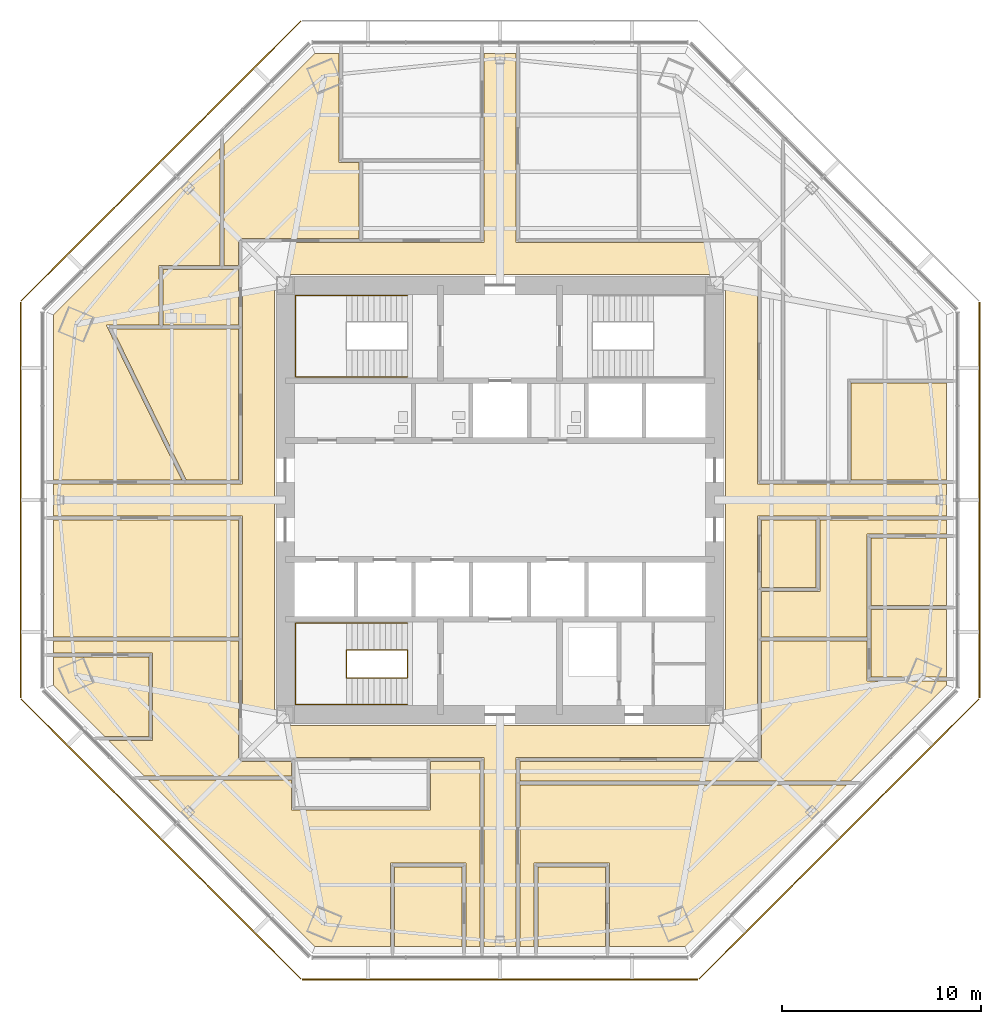
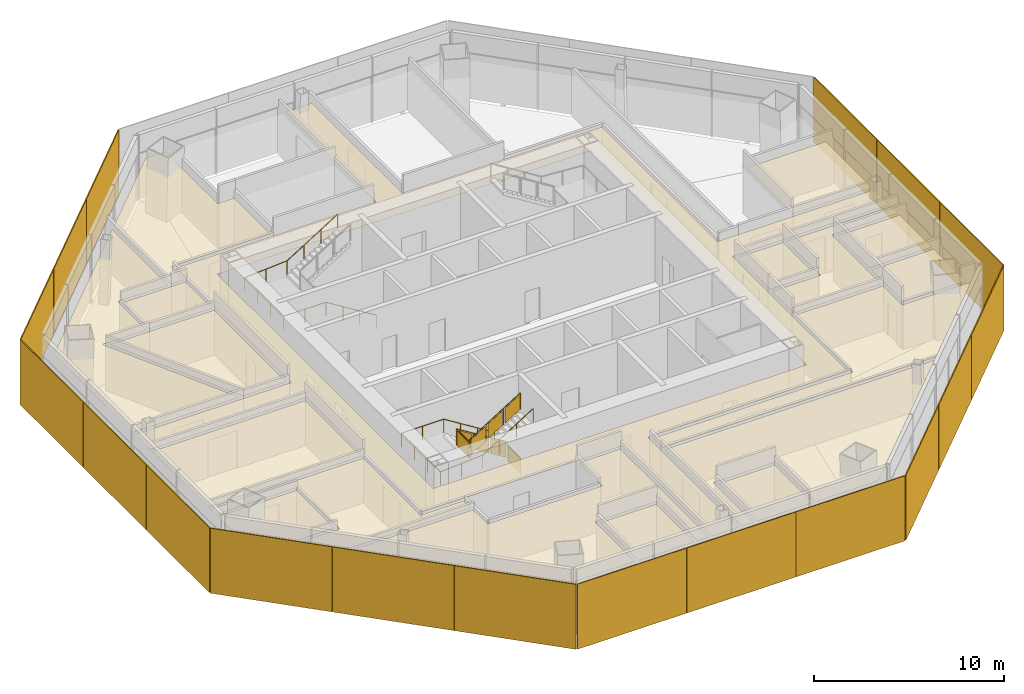
# One storey, part 13 of 15: 18 coverings, 18 shading devices, 3 railings.
"""IFC4 building model written with IfcOpenShell, lengths in metres."""

import ifcopenshell
import ifcopenshell.guid

model = None  # the IFC model being written
_history = None  # IfcOwnerHistory: only IFC2X3 demands one
_inside = {}  # id of a spatial element -> (the spatial element, [elements in it])
_under = {}  # id of a project, library or spatial element -> (it, [spatial elements below it])
_declared = {}  # id of a project -> (the project, [libraries it declares])
_typed = {}  # id of a type object -> (the type object, [elements of that type])
_made_of = {}  # id of a material, layer set ... -> (it, [elements and type objects made of it])


def new_model(schema):
    """Start an empty IFC model of exactly this schema.

    Asked for "IFC4X3", IfcOpenShell would pick the latest addendum, in which some entities
    have other attributes; the version numbers below select the first issue.
    IFC2X3 requires an IfcOwnerHistory on every rooted entity: one is made here for all.
    """
    global model, _history
    if schema == "IFC4X3":
        model = ifcopenshell.file(schema_version=(4, 3, 0, 0))
    else:
        model = ifcopenshell.file(schema=schema)
    _inside.clear()
    _under.clear()
    _declared.clear()
    _typed.clear()
    _made_of.clear()
    _history = None
    if model.schema == "IFC2X3":
        org = make("IfcOrganization", Name="unknown")
        user = make(
            "IfcPersonAndOrganization",
            ThePerson=make("IfcPerson", FamilyName="unknown"),
            TheOrganization=org,
        )
        app = make(
            "IfcApplication",
            ApplicationDeveloper=org,
            Version="unknown",
            ApplicationFullName="unknown",
            ApplicationIdentifier="unknown",
        )
        _history = make(
            "IfcOwnerHistory",
            OwningUser=user,
            OwningApplication=app,
            ChangeAction="ADDED",
            CreationDate=0,
        )
    return model


def make(cls, **values):
    """One entity of the class cls with the attributes given. An attribute that is None is left unset."""
    return model.create_entity(
        cls, **{name: value for name, value in values.items() if value is not None}
    )


def rooted(cls, **values):
    """An entity with a GlobalId (a new one), such as an element, a storey or a relation."""
    return make(cls, GlobalId=ifcopenshell.guid.new(), OwnerHistory=_history, **values)


def si_unit(unit_type, name, prefix=None):
    """IfcSIUnit, for example si_unit("LENGTHUNIT", "METRE", prefix="MILLI")."""
    return make("IfcSIUnit", UnitType=unit_type, Prefix=prefix, Name=name)


def assignment(units):
    """IfcUnitAssignment: the units of a project."""
    return None if units is None else make("IfcUnitAssignment", Units=units)


def point(xyz):
    """IfcCartesianPoint."""
    return None if xyz is None else make("IfcCartesianPoint", Coordinates=xyz)


def direction(xyz):
    """IfcDirection."""
    return None if xyz is None else make("IfcDirection", DirectionRatios=xyz)


def frame(location, z_axis=None, x_axis=None):
    """IfcAxis2Placement3D, a coordinate frame: its origin and axes. An axis left out is left unset."""
    return make(
        "IfcAxis2Placement3D",
        Location=point(location),
        Axis=direction(z_axis),
        RefDirection=direction(x_axis),
    )


def frame_2d(location, x_axis=None):
    """IfcAxis2Placement2D, a coordinate frame in the plane: its origin and x axis."""
    return make(
        "IfcAxis2Placement2D", Location=point(location), RefDirection=direction(x_axis)
    )


def origin():
    """The frame at (0, 0, 0) with its axes left unset."""
    return frame((0.0, 0.0, 0.0))


def origin_2d():
    """The frame at (0, 0) in the plane with its x axis left unset."""
    return frame_2d((0.0, 0.0))


def place(relative_to, where):
    """IfcLocalPlacement: puts the frame where relative to a parent placement (None: the world)."""
    return make(
        "IfcLocalPlacement", PlacementRelTo=relative_to, RelativePlacement=where
    )


def context(
    kind, dimensions, precision=None, world=None, true_north=None, identifier=None
):
    """IfcGeometricRepresentationContext, for example the 3D "Model" context."""
    return make(
        "IfcGeometricRepresentationContext",
        ContextIdentifier=identifier,
        ContextType=kind,
        CoordinateSpaceDimension=dimensions,
        Precision=precision,
        WorldCoordinateSystem=world,
        TrueNorth=true_north,
    )


def subcontext(parent, identifier, kind, view, scale=None):
    """IfcGeometricRepresentationSubContext, for example "Body" below "Model"."""
    return make(
        "IfcGeometricRepresentationSubContext",
        ContextIdentifier=identifier,
        ContextType=kind,
        ParentContext=parent,
        TargetScale=scale,
        TargetView=view,
    )


def project(units=None, contexts=None):
    """IfcProject with its units and contexts."""
    return rooted(
        "IfcProject",
        Name="project",
        RepresentationContexts=contexts,
        UnitsInContext=assignment(units),
    )


def spatial(cls, under=None, at=None, **own):
    """A site, building, storey or space (cls), placed at a placement, below another one or the project."""
    s = rooted(cls, ObjectPlacement=at, **own)
    if under is not None:
        _under.setdefault(under.id(), (under, []))[1].append(s)
    return s


def polyline(points):
    """IfcPolyline through the points."""
    return make("IfcPolyline", Points=[point(p) for p in points])


def profile(cls, at=None, kind="AREA", **sizes):
    """A parametric profile (cls). Its sizes go by their IFC names, for example OverallWidth=200.0."""
    return make(cls, ProfileType=kind, Position=at, **sizes)


def rectangle(**sizes):
    """IfcRectangleProfileDef."""
    return profile("IfcRectangleProfileDef", **sizes)


def circle(**sizes):
    """IfcCircleProfileDef."""
    return profile("IfcCircleProfileDef", **sizes)


def outline(outer, holes=None, kind="AREA"):
    """IfcArbitraryClosedProfileDef: a profile drawn as a closed curve; with holes, ...WithVoids."""
    if holes is None:
        return make("IfcArbitraryClosedProfileDef", ProfileType=kind, OuterCurve=outer)
    return make(
        "IfcArbitraryProfileDefWithVoids",
        ProfileType=kind,
        OuterCurve=outer,
        InnerCurves=holes,
    )


def extrude(swept, where, along, depth):
    """IfcExtrudedAreaSolid: the profile swept, set in the frame where, extruded along a direction by depth."""
    return make(
        "IfcExtrudedAreaSolid",
        SweptArea=swept,
        Position=where,
        ExtrudedDirection=direction(along),
        Depth=depth,
    )


def shape(context_of_items, identifier, shape_type, items):
    """IfcShapeRepresentation: the items that make up one representation, for example the "Body"."""
    return make(
        "IfcShapeRepresentation",
        ContextOfItems=context_of_items,
        RepresentationIdentifier=identifier,
        RepresentationType=shape_type,
        Items=items,
    )


def source(mapping_origin, context_of_items, identifier, shape_type, items):
    """IfcRepresentationMap: a shape defined once, which mapped items show again and again."""
    return make(
        "IfcRepresentationMap",
        MappingOrigin=mapping_origin,
        MappedRepresentation=shape(context_of_items, identifier, shape_type, items),
    )


def transform(
    local_origin,
    x_axis=None,
    y_axis=None,
    z_axis=None,
    scale=None,
    scale2=None,
    scale3=None,
    uniform=True,
):
    """IfcCartesianTransformationOperator3D, or its non-uniform kind. x_axis, y_axis, z_axis: its Axis1, 2, 3."""
    if uniform:
        return make(
            "IfcCartesianTransformationOperator3D",
            Axis1=direction(x_axis),
            Axis2=direction(y_axis),
            LocalOrigin=point(local_origin),
            Scale=scale,
            Axis3=direction(z_axis),
        )
    return make(
        "IfcCartesianTransformationOperator3DnonUniform",
        Axis1=direction(x_axis),
        Axis2=direction(y_axis),
        LocalOrigin=point(local_origin),
        Scale=scale,
        Axis3=direction(z_axis),
        Scale2=scale2,
        Scale3=scale3,
    )


def mapped(mapping_source, mapping_target):
    """IfcMappedItem: shows the shape of a source again, moved by a transform."""
    return make(
        "IfcMappedItem", MappingSource=mapping_source, MappingTarget=mapping_target
    )


def material(Name=None, Category=None):
    """IfcMaterial."""
    return make("IfcMaterial", Name=Name, Category=Category)


def layer(
    of_material, thickness, ventilated=None, Name=None, Category=None, Priority=None
):
    """IfcMaterialLayer: one layer of a wall or slab, of a material (None: an air gap)."""
    return make(
        "IfcMaterialLayer",
        Material=of_material,
        LayerThickness=thickness,
        IsVentilated=ventilated,
        Name=Name,
        Category=Category,
        Priority=Priority,
    )


def layer_set(layers, Name=None):
    """IfcMaterialLayerSet."""
    return make("IfcMaterialLayerSet", MaterialLayers=layers, LayerSetName=Name)


def made_of(thing, what):
    """Note that an element or type object is made of a material, layer set ...; save() writes the relation."""
    if what is not None:
        _made_of.setdefault(what.id(), (what, []))[1].append(thing)
    return thing


def type_object(cls, material=None, **own):
    """A type object (cls), such as IfcWallType, which elements share."""
    return made_of(rooted(cls, **own), material)


def type_shapes(of_type, sources):
    """Give a type object the sources (RepresentationMaps) that its elements show as mapped items."""
    of_type.RepresentationMaps = sources


def element(
    cls,
    number,
    at=None,
    inside=None,
    cuts=None,
    type_object=None,
    material=None,
    context=None,
    identifier="Body",
    shape_type=None,
    held_by="IfcProductDefinitionShape",
    body=None,
    shapes=None,
    **own,
):
    """One element of the class cls, such as IfcWall. Its Tag is "e" and its number.

    at: its placement. inside: the storey or other place that contains it. cuts: it is an
    opening in that element (IfcRelVoidsElement). A single representation is given by context,
    identifier, shape_type and body (its items); several are given by shapes. held_by: the class
    of the entity that holds the representations. save() writes the other relations.
    """
    e = rooted(cls, Tag="e%d" % number, ObjectPlacement=at, **own)
    if body is not None:
        shapes = [shape(context, identifier, shape_type, body)]
    if shapes is not None:
        e.Representation = make(held_by, Representations=shapes)
    if inside is not None:
        _inside.setdefault(inside.id(), (inside, []))[1].append(e)
    if cuts is not None:
        rooted(
            "IfcRelVoidsElement", RelatingBuildingElement=cuts, RelatedOpeningElement=e
        )
    if type_object is not None:
        _typed.setdefault(type_object.id(), (type_object, []))[1].append(e)
    return made_of(e, material)


def aggregate(whole, parts):
    """IfcRelAggregates: a whole, such as a stair, and the parts it consists of."""
    return rooted("IfcRelAggregates", RelatingObject=whole, RelatedObjects=parts)


def save(model, path):
    """Write the relations noted so far, then the file.

    IfcRelAggregates (storeys below a building ...), IfcRelContainedInSpatialStructure (elements
    in a storey), IfcRelDefinesByType, IfcRelAssociatesMaterial and IfcRelDeclares: one each for
    every whole, place, type object, material and project.
    """
    for whole, parts in _under.values():
        aggregate(whole, parts)
    for where, things in _inside.values():
        rooted(
            "IfcRelContainedInSpatialStructure",
            RelatedElements=things,
            RelatingStructure=where,
        )
    for kind, things in _typed.values():
        rooted("IfcRelDefinesByType", RelatedObjects=things, RelatingType=kind)
    for what, things in _made_of.values():
        rooted("IfcRelAssociatesMaterial", RelatedObjects=things, RelatingMaterial=what)
    for by, libraries in _declared.values():
        rooted("IfcRelDeclares", RelatingContext=by, RelatedDefinitions=libraries)
    model.write(path)


model = new_model("IFC4")

# Units and contexts
model_context = context("Model", 3, precision=1e-05, world=origin(), true_north=direction((0.0, 1.0)))
body_context = subcontext(model_context, "Body", "Model", "MODEL_VIEW")
ifc_project = project(units=[si_unit("LENGTHUNIT", "METRE"), si_unit("AREAUNIT", "SQUARE_METRE"), si_unit("VOLUMEUNIT", "CUBIC_METRE"), si_unit("PLANEANGLEUNIT", "RADIAN"), si_unit("MASSUNIT", "GRAM", prefix="KILO")], contexts=[model_context])

# Site, building, storey
site_placement = place(None, origin())
site = spatial("IfcSite", under=ifc_project, at=site_placement, CompositionType="ELEMENT")
building_placement = place(site_placement, origin())
building = spatial("IfcBuilding", under=site, at=building_placement, Name="Mashrafa Tower", CompositionType="ELEMENT")
storey_placement = place(building_placement, frame((0.0, 0.0, 176.39990234375)))
storey = spatial("IfcBuildingStorey", under=building, at=storey_placement, Name="L40", CompositionType="ELEMENT", Elevation=176.39990234375)

# Railings
ifc_material_1 = material(Name="Steel guard with glass infill", Category="steel")
railing_type_1 = type_object("IfcRailingType", Name="Stair guard 1100", PredefinedType="GUARDRAIL", material=ifc_material_1)
railing_1_placement = place(storey_placement, frame((-4.64990234375, -8.949951171875, 0.0)))
element("IfcRailing", 1, at=railing_1_placement, inside=storey, type_object=railing_type_1, Name="Stair S3 guard L40", PredefinedType="GUARDRAIL", context=body_context, shape_type="SweptSolid", body=[
    extrude(circle(Radius=0.02392578125, at=origin_2d()), frame((0.0, 0.0, 1.076171875), z_axis=(0.0, 1.0, 0.0), x_axis=(-1.0, 0.0, 0.0)), (0.0, 0.0, 1.0), 1.39990234375),
    extrude(circle(Radius=0.02392578125, at=origin_2d()), frame((0.0, 1.39990234375, 1.076171875), z_axis=(0.0, 0.0, 1.0), x_axis=(1.0, 0.0, 0.0)), (0.0, 0.0, 1.0), 0.175048828125),
    extrude(circle(Radius=0.02392578125, at=origin_2d()), frame((0.0, 1.39990234375, 1.2509765625), z_axis=(-0.847998304005, 0.0, 0.529998940003), x_axis=(0.0, -1.0, 0.0)), (0.0, 0.0, 1.0), 3.632080078125),
    extrude(circle(Radius=0.02392578125, at=origin_2d()), frame((-3.080078125, 1.39990234375, 3.17626953125), z_axis=(0.0, -1.0, 0.0), x_axis=(1.0, 0.0, 0.0)), (0.0, 0.0, 1.0), 1.39990234375),
    extrude(circle(Radius=0.02392578125, at=origin_2d()), frame((-3.080078125, 0.0, 3.17626953125), z_axis=(0.0, 0.0, 1.0), x_axis=(1.0, 0.0, 0.0)), (0.0, 0.0, 1.0), 0.175048828125),
    extrude(circle(Radius=0.02392578125, at=origin_2d()), frame((-3.080078125, 0.0, 3.35107421875), z_axis=(0.847998304005, 0.0, 0.529998940003), x_axis=(0.0, 1.0, 0.0)), (0.0, 0.0, 1.0), 3.632080078125),
    extrude(circle(Radius=0.02099609375, at=origin_2d()), origin(), (0.0, 0.0, 1.0), 1.052001953125),
    extrude(circle(Radius=0.02099609375, at=origin_2d()), frame((0.0, 1.39990234375, 0.0)), (0.0, 0.0, 1.0), 1.052001953125),
    extrude(circle(Radius=0.02099609375, at=origin_2d()), frame((0.0, 1.39990234375, 0.175048828125)), (0.0, 0.0, 1.0), 1.052001953125),
    extrude(circle(Radius=0.02099609375, at=origin_2d()), frame((-1.026611328125, 1.39990234375, 0.816650390625)), (0.0, 0.0, 1.0), 1.052001953125),
    extrude(circle(Radius=0.02099609375, at=origin_2d()), frame((-2.053466796875, 1.39990234375, 1.45849609375)), (0.0, 0.0, 1.0), 1.052001953125),
    extrude(circle(Radius=0.02099609375, at=origin_2d()), frame((-3.080078125, 1.39990234375, 2.10009765625)), (0.0, 0.0, 1.0), 1.052001953125),
    extrude(circle(Radius=0.02099609375, at=origin_2d()), frame((-3.080078125, 0.0, 2.10009765625)), (0.0, 0.0, 1.0), 1.052001953125),
    extrude(circle(Radius=0.02099609375, at=origin_2d()), frame((-3.080078125, 0.0, 2.275146484375)), (0.0, 0.0, 1.0), 1.052001953125),
    extrude(circle(Radius=0.02099609375, at=origin_2d()), frame((-2.053466796875, 0.0, 2.916748046875)), (0.0, 0.0, 1.0), 1.052001953125),
    extrude(circle(Radius=0.02099609375, at=origin_2d()), frame((-1.026611328125, 0.0, 3.55859375)), (0.0, 0.0, 1.0), 1.052001953125),
    extrude(circle(Radius=0.02099609375, at=origin_2d()), frame((0.0, 0.0, 4.2001953125)), (0.0, 0.0, 1.0), 1.052001953125),
    extrude(outline(polyline([(0.071044921875, 0.050048828125), (1.328857421875, 0.050048828125), (1.328857421875, 1.001953125), (0.071044921875, 1.001953125), (0.071044921875, 0.050048828125)])), frame((0.006103515625, 0.0, 0.0), z_axis=(1.0, 0.0, 0.0), x_axis=(0.0, 1.0, 0.0)), (0.0, 0.0, 1.0), 0.011962890625),
    extrude(outline(polyline([(0.071044921875, 0.094482421875), (0.955810546875, 0.647216796875), (0.955810546875, 1.599365234375), (0.071044921875, 1.04638671875), (0.071044921875, 0.094482421875)])), frame((0.0, 1.406005859375, 0.175048828125), z_axis=(0.0, 1.0, 0.0), x_axis=(-1.0, 0.0, 0.0)), (0.0, 0.0, 1.0), 0.011962890625),
    extrude(outline(polyline([(1.09765625, 0.736083984375), (1.982421875, 1.2890625), (1.982421875, 2.240966796875), (1.09765625, 1.68798828125), (1.09765625, 0.736083984375)])), frame((0.0, 1.406005859375, 0.175048828125), z_axis=(0.0, 1.0, 0.0), x_axis=(-1.0, 0.0, 0.0)), (0.0, 0.0, 1.0), 0.011962890625),
    extrude(outline(polyline([(2.124267578125, 1.377685546875), (3.009033203125, 1.9306640625), (3.009033203125, 2.882568359375), (2.124267578125, 2.329833984375), (2.124267578125, 1.377685546875)])), frame((0.0, 1.406005859375, 0.175048828125), z_axis=(0.0, 1.0, 0.0), x_axis=(-1.0, 0.0, 0.0)), (0.0, 0.0, 1.0), 0.011962890625),
    extrude(outline(polyline([(0.071044921875, 0.050048828125), (1.328857421875, 0.050048828125), (1.328857421875, 1.001953125), (0.071044921875, 1.001953125), (0.071044921875, 0.050048828125)])), frame((-3.086181640625, 1.39990234375, 2.10009765625), z_axis=(-1.0, 0.0, 0.0), x_axis=(0.0, -1.0, 0.0)), (0.0, 0.0, 1.0), 0.011962890625),
    extrude(outline(polyline([(0.071044921875, 0.094482421875), (0.955810546875, 0.647216796875), (0.955810546875, 1.599365234375), (0.071044921875, 1.04638671875), (0.071044921875, 0.094482421875)])), frame((-3.080078125, -0.006103515625, 2.275146484375), z_axis=(0.0, -1.0, 0.0), x_axis=(1.0, 0.0, 0.0)), (0.0, 0.0, 1.0), 0.011962890625),
    extrude(outline(polyline([(1.09765625, 0.736083984375), (1.982421875, 1.2890625), (1.982421875, 2.240966796875), (1.09765625, 1.68798828125), (1.09765625, 0.736083984375)])), frame((-3.080078125, -0.006103515625, 2.275146484375), z_axis=(0.0, -1.0, 0.0), x_axis=(1.0, 0.0, 0.0)), (0.0, 0.0, 1.0), 0.011962890625),
    extrude(outline(polyline([(2.124267578125, 1.377685546875), (3.009033203125, 1.9306640625), (3.009033203125, 2.882568359375), (2.124267578125, 2.329833984375), (2.124267578125, 1.377685546875)])), frame((-3.080078125, -0.006103515625, 2.275146484375), z_axis=(0.0, -1.0, 0.0), x_axis=(1.0, 0.0, 0.0)), (0.0, 0.0, 1.0), 0.011962890625),
])
ifc_material_2 = material(Name="Steel", Category="steel")
railing_type_2 = type_object("IfcRailingType", Name="Stair handrail 900", PredefinedType="HANDRAIL", material=ifc_material_2)
railing_2_placement = place(storey_placement, frame((-4.64990234375, 6.199951171875, 0.175048828125)))
element("IfcRailing", 2, at=railing_2_placement, inside=storey, type_object=railing_type_2, Name="Stair S1 handrail L40", PredefinedType="HANDRAIL", context=body_context, shape_type="SweptSolid", body=[
    extrude(circle(Radius=0.02392578125, at=origin_2d()), frame((0.0, 0.0, 0.8759765625), z_axis=(-0.847998304005, 0.0, 0.529998940003), x_axis=(0.0, -1.0, 0.0)), (0.0, 0.0, 1.0), 3.632080078125),
    extrude(circle(Radius=0.02392578125, at=origin_2d()), frame((-3.080078125, 0.0, 2.80078125), z_axis=(-1.0, 0.0, 0.0), x_axis=(0.0, -1.0, 0.0)), (0.0, 0.0, 1.0), 2.570068359375),
    extrude(circle(Radius=0.02392578125, at=origin_2d()), frame((-5.650146484375, 0.0, 2.80078125), z_axis=(0.0, 1.0, 0.0), x_axis=(-1.0, 0.0, 0.0)), (0.0, 0.0, 1.0), 4.10009765625),
    extrude(circle(Radius=0.02392578125, at=origin_2d()), frame((-5.650146484375, 4.10009765625, 2.80078125), z_axis=(0.997688514158, 0.0, 0.067953136188), x_axis=(0.0, 1.0, 0.0)), (0.0, 0.0, 1.0), 2.575927734375),
    extrude(circle(Radius=0.02392578125, at=origin_2d()), frame((-3.080078125, 4.10009765625, 2.97607421875), z_axis=(0.847998304005, 0.0, 0.529998940003), x_axis=(0.0, 1.0, 0.0)), (0.0, 0.0, 1.0), 3.632080078125),
    extrude(circle(Radius=0.02099609375, at=origin_2d()), origin(), (0.0, 0.0, 1.0), 0.851806640625),
    extrude(circle(Radius=0.02099609375, at=origin_2d()), frame((-1.026611328125, 0.0, 0.6416015625)), (0.0, 0.0, 1.0), 0.851806640625),
    extrude(circle(Radius=0.02099609375, at=origin_2d()), frame((-2.053466796875, 0.0, 1.283447265625)), (0.0, 0.0, 1.0), 0.851806640625),
    extrude(circle(Radius=0.02099609375, at=origin_2d()), frame((-3.080078125, 0.0, 1.925048828125)), (0.0, 0.0, 1.0), 0.851806640625),
    extrude(circle(Radius=0.02099609375, at=origin_2d()), frame((-4.365234375, 0.0, 1.925048828125)), (0.0, 0.0, 1.0), 0.851806640625),
    extrude(circle(Radius=0.02099609375, at=origin_2d()), frame((-5.650146484375, 0.0, 1.925048828125)), (0.0, 0.0, 1.0), 0.851806640625),
    extrude(circle(Radius=0.02099609375, at=origin_2d()), frame((-5.650146484375, 1.36669921875, 1.925048828125)), (0.0, 0.0, 1.0), 0.851806640625),
    extrude(circle(Radius=0.02099609375, at=origin_2d()), frame((-5.650146484375, 2.7333984375, 1.925048828125)), (0.0, 0.0, 1.0), 0.851806640625),
    extrude(circle(Radius=0.02099609375, at=origin_2d()), frame((-5.650146484375, 4.10009765625, 1.925048828125)), (0.0, 0.0, 1.0), 0.851806640625),
    extrude(circle(Radius=0.02099609375, at=origin_2d()), frame((-4.365234375, 4.10009765625, 2.0126953125)), (0.0, 0.0, 1.0), 0.851806640625),
    extrude(circle(Radius=0.02099609375, at=origin_2d()), frame((-3.080078125, 4.10009765625, 2.10009765625)), (0.0, 0.0, 1.0), 0.851806640625),
    extrude(circle(Radius=0.02099609375, at=origin_2d()), frame((-2.053466796875, 4.10009765625, 2.74169921875)), (0.0, 0.0, 1.0), 0.851806640625),
    extrude(circle(Radius=0.02099609375, at=origin_2d()), frame((-1.026611328125, 4.10009765625, 3.383544921875)), (0.0, 0.0, 1.0), 0.851806640625),
    extrude(circle(Radius=0.02099609375, at=origin_2d()), frame((0.0, 4.10009765625, 4.025146484375)), (0.0, 0.0, 1.0), 0.851806640625),
])
railing_3_placement = place(storey_placement, frame((-4.64990234375, -6.199951171875, 0.175048828125)))
element("IfcRailing", 3, at=railing_3_placement, inside=storey, type_object=railing_type_2, Name="Stair S3 handrail L40", PredefinedType="HANDRAIL", context=body_context, shape_type="SweptSolid", body=[
    extrude(circle(Radius=0.02392578125, at=origin_2d()), frame((0.0, 0.0, 0.8759765625), z_axis=(-0.847998304005, 0.0, 0.529998940003), x_axis=(0.0, -1.0, 0.0)), (0.0, 0.0, 1.0), 3.632080078125),
    extrude(circle(Radius=0.02392578125, at=origin_2d()), frame((-3.080078125, 0.0, 2.80078125), z_axis=(-1.0, 0.0, 0.0), x_axis=(0.0, -1.0, 0.0)), (0.0, 0.0, 1.0), 2.570068359375),
    extrude(circle(Radius=0.02392578125, at=origin_2d()), frame((-5.650146484375, 0.0, 2.80078125), z_axis=(0.0, -1.0, 0.0), x_axis=(1.0, 0.0, 0.0)), (0.0, 0.0, 1.0), 4.10009765625),
    extrude(circle(Radius=0.02392578125, at=origin_2d()), frame((-5.650146484375, -4.10009765625, 2.80078125), z_axis=(0.997688514158, 0.0, 0.067953136188), x_axis=(0.0, 1.0, 0.0)), (0.0, 0.0, 1.0), 2.575927734375),
    extrude(circle(Radius=0.02392578125, at=origin_2d()), frame((-3.080078125, -4.10009765625, 2.97607421875), z_axis=(0.847998304005, 0.0, 0.529998940003), x_axis=(0.0, 1.0, 0.0)), (0.0, 0.0, 1.0), 3.632080078125),
    extrude(circle(Radius=0.02099609375, at=origin_2d()), origin(), (0.0, 0.0, 1.0), 0.851806640625),
    extrude(circle(Radius=0.02099609375, at=origin_2d()), frame((-1.026611328125, 0.0, 0.6416015625)), (0.0, 0.0, 1.0), 0.851806640625),
    extrude(circle(Radius=0.02099609375, at=origin_2d()), frame((-2.053466796875, 0.0, 1.283447265625)), (0.0, 0.0, 1.0), 0.851806640625),
    extrude(circle(Radius=0.02099609375, at=origin_2d()), frame((-3.080078125, 0.0, 1.925048828125)), (0.0, 0.0, 1.0), 0.851806640625),
    extrude(circle(Radius=0.02099609375, at=origin_2d()), frame((-4.365234375, 0.0, 1.925048828125)), (0.0, 0.0, 1.0), 0.851806640625),
    extrude(circle(Radius=0.02099609375, at=origin_2d()), frame((-5.650146484375, 0.0, 1.925048828125)), (0.0, 0.0, 1.0), 0.851806640625),
    extrude(circle(Radius=0.02099609375, at=origin_2d()), frame((-5.650146484375, -1.36669921875, 1.925048828125)), (0.0, 0.0, 1.0), 0.851806640625),
    extrude(circle(Radius=0.02099609375, at=origin_2d()), frame((-5.650146484375, -2.7333984375, 1.925048828125)), (0.0, 0.0, 1.0), 0.851806640625),
    extrude(circle(Radius=0.02099609375, at=origin_2d()), frame((-5.650146484375, -4.10009765625, 1.925048828125)), (0.0, 0.0, 1.0), 0.851806640625),
    extrude(circle(Radius=0.02099609375, at=origin_2d()), frame((-4.365234375, -4.10009765625, 2.0126953125)), (0.0, 0.0, 1.0), 0.851806640625),
    extrude(circle(Radius=0.02099609375, at=origin_2d()), frame((-3.080078125, -4.10009765625, 2.10009765625)), (0.0, 0.0, 1.0), 0.851806640625),
    extrude(circle(Radius=0.02099609375, at=origin_2d()), frame((-2.053466796875, -4.10009765625, 2.74169921875)), (0.0, 0.0, 1.0), 0.851806640625),
    extrude(circle(Radius=0.02099609375, at=origin_2d()), frame((-1.026611328125, -4.10009765625, 3.383544921875)), (0.0, 0.0, 1.0), 0.851806640625),
    extrude(circle(Radius=0.02099609375, at=origin_2d()), frame((0.0, -4.10009765625, 4.025146484375)), (0.0, 0.0, 1.0), 0.851806640625),
])

# Coverings
ifc_material_3 = material(Name="Mineral fibre tile on suspension grid")
ifc_layer_1 = layer(ifc_material_3, 0.014892578125)
ifc_layer_set_1 = layer_set([ifc_layer_1], Name="Suspended ceiling mineral tile 15")
covering_type = type_object("IfcCoveringType", Name="Suspended ceiling mineral tile 15", PredefinedType="CEILING", material=ifc_layer_set_1)
covering_1_placement = place(storey_placement, frame((0.0, 0.0, 2.900146484375)))
element("IfcCovering", 4, at=covering_1_placement, inside=storey, type_object=covering_type, Name="Ceiling Office Corridor L40", PredefinedType="CEILING", context=body_context, shape_type="SweptSolid", body=[
    extrude(outline(polyline([(-12.949951171875, -12.949951171875), (-12.949951171875, -0.800048828125), (-22.474609375, -0.800048828125), (-22.474609375, 0.800048828125), (-12.949951171875, 0.800048828125), (-12.949951171875, 12.949951171875), (-0.800048828125, 12.949951171875), (-0.800048828125, 22.474609375), (0.800048828125, 22.474609375), (0.800048828125, 12.949951171875), (12.949951171875, 12.949951171875), (12.949951171875, 0.800048828125), (22.474609375, 0.800048828125), (22.474609375, -0.800048828125), (12.949951171875, -0.800048828125), (12.949951171875, -12.949951171875), (0.800048828125, -12.949951171875), (0.800048828125, -22.474609375), (-0.800048828125, -22.474609375), (-0.800048828125, -12.949951171875), (-12.949951171875, -12.949951171875)]), holes=[polyline([(11.35009765625, 11.35009765625), (-11.35009765625, 11.35009765625), (-11.35009765625, -11.35009765625), (11.35009765625, -11.35009765625), (11.35009765625, 11.35009765625)])]), origin(), (0.0, 0.0, 1.0), 0.014892578125),
])
covering_2_placement = place(storey_placement, frame((0.0, 0.0, 2.900146484375)))
element("IfcCovering", 5, at=covering_2_placement, inside=storey, type_object=covering_type, Name="Ceiling Musallah Prayer Room 40", PredefinedType="CEILING", context=body_context, shape_type="SweptSolid", body=[
    extrude(outline(polyline([(-15.783203125, 1.0), (-19.489990234375, 8.60009765625), (-13.14990234375, 8.60009765625), (-13.14990234375, 1.0), (-15.783203125, 1.0)])), origin(), (0.0, 0.0, 1.0), 0.014892578125),
])
covering_3_placement = place(storey_placement, frame((0.0, 0.0, 2.900146484375)))
element("IfcCovering", 6, at=covering_3_placement, inside=storey, type_object=covering_type, Name="Ceiling Ablution Room L40", PredefinedType="CEILING", context=body_context, shape_type="SweptSolid", body=[
    extrude(outline(polyline([(-16.949951171875, 8.800048828125), (-16.949951171875, 11.60009765625), (-13.14990234375, 11.60009765625), (-13.14990234375, 8.800048828125), (-16.949951171875, 8.800048828125)])), origin(), (0.0, 0.0, 1.0), 0.014892578125),
])
covering_4_placement = place(storey_placement, frame((0.0, 0.0, 2.900146484375)))
element("IfcCovering", 7, at=covering_4_placement, inside=storey, type_object=covering_type, Name="Ceiling Guest Majlis 40", PredefinedType="CEILING", context=body_context, shape_type="SweptSolid", body=[
    extrude(outline(polyline([(17.674560546875, 5.89990234375), (22.474609375, 5.89990234375), (22.474609375, 1.0), (17.674560546875, 1.0), (17.674560546875, 5.89990234375)])), origin(), (0.0, 0.0, 1.0), 0.014892578125),
])
covering_5_placement = place(storey_placement, frame((0.0, 0.0, 2.900146484375)))
element("IfcCovering", 8, at=covering_5_placement, inside=storey, type_object=covering_type, Name="Ceiling Executive Dining Room 40-SW2", PredefinedType="CEILING", context=body_context, shape_type="SweptSolid", body=[
    extrude(outline(polyline([(-17.674560546875, -7.89990234375), (-17.674560546875, -11.89990234375), (-19.8837890625, -11.89990234375), (-22.474609375, -9.309326171875), (-22.474609375, -7.89990234375), (-17.674560546875, -7.89990234375)])), origin(), (0.0, 0.0, 1.0), 0.014892578125),
])
covering_6_placement = place(storey_placement, frame((0.0, 0.0, 2.900146484375)))
element("IfcCovering", 9, at=covering_6_placement, inside=storey, type_object=covering_type, Name="Ceiling Executive Reception 40", PredefinedType="CEILING", context=body_context, shape_type="SweptSolid", body=[
    extrude(outline(polyline([(13.14990234375, -1.0), (15.89990234375, -1.0), (15.89990234375, -4.39990234375), (13.14990234375, -4.39990234375), (13.14990234375, -1.0)])), origin(), (0.0, 0.0, 1.0), 0.014892578125),
])
covering_7_placement = place(storey_placement, frame((0.0, 0.0, 2.900146484375)))
element("IfcCovering", 10, at=covering_7_placement, inside=storey, type_object=covering_type, Name="Ceiling Executive Office 40-SE2", PredefinedType="CEILING", context=body_context, shape_type="SweptSolid", body=[
    extrude(outline(polyline([(18.674560546875, -5.5), (22.474609375, -5.5), (22.474609375, -8.89990234375), (18.674560546875, -8.89990234375), (18.674560546875, -5.5)])), origin(), (0.0, 0.0, 1.0), 0.014892578125),
])
covering_8_placement = place(storey_placement, frame((0.0, 0.0, 2.900146484375)))
element("IfcCovering", 11, at=covering_8_placement, inside=storey, type_object=covering_type, Name="Ceiling Executive Office 40-SE1", PredefinedType="CEILING", context=body_context, shape_type="SweptSolid", body=[
    extrude(outline(polyline([(18.674560546875, -1.89990234375), (22.474609375, -1.89990234375), (22.474609375, -5.300048828125), (18.674560546875, -5.300048828125), (18.674560546875, -1.89990234375)])), origin(), (0.0, 0.0, 1.0), 0.014892578125),
])
covering_9_placement = place(storey_placement, frame((0.0, 0.0, 2.900146484375)))
element("IfcCovering", 12, at=covering_9_placement, inside=storey, type_object=covering_type, Name="Ceiling Executive Office 40-SW3", PredefinedType="CEILING", context=body_context, shape_type="SweptSolid", body=[
    extrude(outline(polyline([(-5.300048828125, -18.474609375), (-1.89990234375, -18.474609375), (-1.89990234375, -22.474609375), (-5.300048828125, -22.474609375), (-5.300048828125, -18.474609375)])), origin(), (0.0, 0.0, 1.0), 0.014892578125),
])
covering_10_placement = place(storey_placement, frame((0.0, 0.0, 2.900146484375)))
element("IfcCovering", 13, at=covering_10_placement, inside=storey, type_object=covering_type, Name="Ceiling Executive Office 40-SE3", PredefinedType="CEILING", context=body_context, shape_type="SweptSolid", body=[
    extrude(outline(polyline([(1.89990234375, -18.474609375), (5.300048828125, -18.474609375), (5.300048828125, -22.474609375), (1.89990234375, -22.474609375), (1.89990234375, -18.474609375)])), origin(), (0.0, 0.0, 1.0), 0.014892578125),
])
covering_11_placement = place(storey_placement, frame((0.0, 0.0, 2.900146484375)))
element("IfcCovering", 14, at=covering_11_placement, inside=storey, type_object=covering_type, Name="Ceiling Board Secretariat Office 40-NW3", PredefinedType="CEILING", context=body_context, shape_type="SweptSolid", body=[
    extrude(outline(polyline([(-22.474609375, 1.0), (-22.474609375, 9.309326171875), (-14.10009765625, 17.683837890625), (-14.10009765625, 11.800048828125), (-17.14990234375, 11.800048828125), (-17.14990234375, 8.800048828125), (-19.81005859375, 8.800048828125), (-16.005615234375, 1.0), (-22.474609375, 1.0)])), origin(), (0.0, 0.0, 1.0), 0.014892578125),
])
covering_12_placement = place(storey_placement, frame((0.0, 0.0, 2.900146484375)))
element("IfcCovering", 15, at=covering_12_placement, inside=storey, type_object=covering_type, Name="Ceiling Corporate Affairs Office 40-NW2", PredefinedType="CEILING", context=body_context, shape_type="SweptSolid", body=[
    extrude(outline(polyline([(-13.89990234375, 11.800048828125), (-13.89990234375, 17.8837890625), (-9.309326171875, 22.474609375), (-8.10009765625, 22.474609375), (-8.10009765625, 16.974609375), (-7.10009765625, 16.974609375), (-7.10009765625, 13.14990234375), (-13.14990234375, 13.14990234375), (-13.14990234375, 11.800048828125), (-13.89990234375, 11.800048828125)])), origin(), (0.0, 0.0, 1.0), 0.014892578125),
])
covering_13_placement = place(storey_placement, frame((0.0, 0.0, 2.900146484375)))
element("IfcCovering", 16, at=covering_13_placement, inside=storey, type_object=covering_type, Name="Ceiling Board Secretariat Office 40-SW3", PredefinedType="CEILING", context=body_context, shape_type="SweptSolid", body=[
    extrude(outline(polyline([(-1.0, -22.474609375), (-1.699951171875, -22.474609375), (-1.699951171875, -18.274658203125), (-5.5, -18.274658203125), (-5.5, -22.474609375), (-9.309326171875, -22.474609375), (-17.683837890625, -14.10009765625), (-10.5, -14.10009765625), (-10.5, -15.60009765625), (-3.5, -15.60009765625), (-3.5, -13.14990234375), (-1.0, -13.14990234375), (-1.0, -22.474609375)])), origin(), (0.0, 0.0, 1.0), 0.014892578125),
])
covering_14_placement = place(storey_placement, frame((0.0, 0.0, 2.900146484375)))
element("IfcCovering", 17, at=covering_14_placement, inside=storey, type_object=covering_type, Name="Ceiling Corporate Affairs Office 40-SW2", PredefinedType="CEILING", context=body_context, shape_type="SweptSolid", body=[
    extrude(outline(polyline([(-10.5, -13.89990234375), (-17.8837890625, -13.89990234375), (-19.683837890625, -12.10009765625), (-17.474609375, -12.10009765625), (-17.474609375, -7.699951171875), (-22.474609375, -7.699951171875), (-22.474609375, -7.10009765625), (-13.14990234375, -7.10009765625), (-13.14990234375, -13.14990234375), (-10.5, -13.14990234375), (-10.5, -13.89990234375)])), origin(), (0.0, 0.0, 1.0), 0.014892578125),
])
covering_15_placement = place(storey_placement, frame((0.0, 0.0, 2.900146484375)))
element("IfcCovering", 18, at=covering_15_placement, inside=storey, type_object=covering_type, Name="Ceiling General Counsel's Office 40-SW1", PredefinedType="CEILING", context=body_context, shape_type="SweptSolid", body=[
    extrude(outline(polyline([(-22.474609375, -6.89990234375), (-22.474609375, -1.0), (-13.14990234375, -1.0), (-13.14990234375, -6.89990234375), (-22.474609375, -6.89990234375)])), origin(), (0.0, 0.0, 1.0), 0.014892578125),
])
covering_16_placement = place(storey_placement, frame((0.0, 0.0, 2.900146484375)))
element("IfcCovering", 19, at=covering_16_placement, inside=storey, type_object=covering_type, Name="Ceiling Board Secretariat Office 40-SE3", PredefinedType="CEILING", context=body_context, shape_type="SweptSolid", body=[
    extrude(outline(polyline([(1.0, -14.35009765625), (17.433837890625, -14.35009765625), (9.309326171875, -22.474609375), (5.5, -22.474609375), (5.5, -18.274658203125), (1.699951171875, -18.274658203125), (1.699951171875, -22.474609375), (1.0, -22.474609375), (1.0, -14.35009765625)])), origin(), (0.0, 0.0, 1.0), 0.014892578125),
])
covering_17_placement = place(storey_placement, frame((0.0, 0.0, 2.900146484375)))
element("IfcCovering", 20, at=covering_17_placement, inside=storey, type_object=covering_type, Name="Ceiling Corporate Affairs Office 40-SE2", PredefinedType="CEILING", context=body_context, shape_type="SweptSolid", body=[
    extrude(outline(polyline([(13.14990234375, -7.10009765625), (18.474609375, -7.10009765625), (18.474609375, -9.10009765625), (22.474609375, -9.10009765625), (22.474609375, -9.309326171875), (17.6337890625, -14.14990234375), (1.0, -14.14990234375), (1.0, -13.14990234375), (13.14990234375, -13.14990234375), (13.14990234375, -7.10009765625)])), origin(), (0.0, 0.0, 1.0), 0.014892578125),
])
covering_18_placement = place(storey_placement, frame((0.0, 0.0, 2.900146484375)))
element("IfcCovering", 21, at=covering_18_placement, inside=storey, type_object=covering_type, Name="Ceiling General Counsel's Office 40-SE1", PredefinedType="CEILING", context=body_context, shape_type="SweptSolid", body=[
    extrude(outline(polyline([(22.474609375, -1.0), (22.474609375, -1.699951171875), (18.474609375, -1.699951171875), (18.474609375, -6.89990234375), (13.14990234375, -6.89990234375), (13.14990234375, -4.60009765625), (16.10009765625, -4.60009765625), (16.10009765625, -1.0), (22.474609375, -1.0)])), origin(), (0.0, 0.0, 1.0), 0.014892578125),
])

# Shading devices
ifc_material_4 = material(Name="Perforated aluminium plate, eight-point star pattern", Category="aluminium")
ifc_layer_2 = layer(ifc_material_4, 0.06005859375)
ifc_layer_set_2 = layer_set([ifc_layer_2], Name="Mashrabiya screen panel office zone 2, 40 percent open")
shading_device_type = type_object("IfcShadingDeviceType", Name="Mashrabiya screen panel office zone 2, 40 percent open", PredefinedType="SHUTTER", material=ifc_layer_set_2)
shared_shape = source(origin(), body_context, "Body", "SweptSolid", [
    extrude(rectangle(XDim=6.626953125, YDim=0.06005859375, at=origin_2d()), origin(), (0.0, 0.0, 1.0), 4.179931640625),
])
type_shapes(shading_device_type, [shared_shape])
for number, where, z_axis, x_axis, name in (
    (22, (24.12451171875, -6.64697265625, -0.14990234375), (0.0, 0.0, 1.0), (0.0, 1.0, 0.0), "Mashrabiya screen L40 east 1"),
    (23, (24.12451171875, 0.0, -0.14990234375), (0.0, 0.0, 1.0), (0.0, 1.0, 0.0), "Mashrabiya screen L40 east 2"),
    (24, (24.12451171875, 6.64697265625, -0.14990234375), (0.0, 0.0, 1.0), (0.0, 1.0, 0.0), "Mashrabiya screen L40 east 3"),
    (25, (-12.358642578125, 21.7587890625, -0.14990234375), (0.0, 0.0, 1.0), (-0.707106781187, -0.707106781187, 0.0), "Mashrabiya screen L40 north-west 1"),
    (26, (-17.05859375, 17.05859375, -0.14990234375), (0.0, 0.0, 1.0), (-0.707106781187, -0.707106781187, 0.0), "Mashrabiya screen L40 north-west 2"),
    (27, (-21.7587890625, 12.358642578125, -0.14990234375), (0.0, 0.0, 1.0), (-0.707106781187, -0.707106781187, 0.0), "Mashrabiya screen L40 north-west 3"),
    (28, (-24.12451171875, 6.64697265625, -0.14990234375), (0.0, 0.0, 1.0), (0.0, -1.0, 0.0), "Mashrabiya screen L40 west 1"),
    (29, (-24.12451171875, 0.0, -0.14990234375), (0.0, 0.0, 1.0), (0.0, -1.0, 0.0), "Mashrabiya screen L40 west 2"),
    (30, (-24.12451171875, -6.64697265625, -0.14990234375), (0.0, 0.0, 1.0), (0.0, -1.0, 0.0), "Mashrabiya screen L40 west 3"),
    (31, (-21.7587890625, -12.358642578125, -0.14990234375), (0.0, 0.0, 1.0), (0.707106781187, -0.707106781187, 0.0), "Mashrabiya screen L40 south-west 1"),
    (32, (-17.05859375, -17.05859375, -0.14990234375), (0.0, 0.0, 1.0), (0.707106781187, -0.707106781187, 0.0), "Mashrabiya screen L40 south-west 2"),
    (33, (-12.358642578125, -21.7587890625, -0.14990234375), (0.0, 0.0, 1.0), (0.707106781187, -0.707106781187, 0.0), "Mashrabiya screen L40 south-west 3"),
    (34, (-6.64697265625, -24.12451171875, -0.14990234375), (0.0, 0.0, 1.0), (1.0, 0.0, 0.0), "Mashrabiya screen L40 south 1"),
    (35, (0.0, -24.12451171875, -0.14990234375), (0.0, 0.0, 1.0), (1.0, 0.0, 0.0), "Mashrabiya screen L40 south 2"),
    (36, (6.64697265625, -24.12451171875, -0.14990234375), (0.0, 0.0, 1.0), (1.0, 0.0, 0.0), "Mashrabiya screen L40 south 3"),
    (37, (12.358642578125, -21.7587890625, -0.14990234375), (0.0, 0.0, 1.0), (0.707106781187, 0.707106781187, 0.0), "Mashrabiya screen L40 south-east 1"),
    (38, (17.05859375, -17.05859375, -0.14990234375), (0.0, 0.0, 1.0), (0.707106781187, 0.707106781187, 0.0), "Mashrabiya screen L40 south-east 2"),
    (39, (21.7587890625, -12.358642578125, -0.14990234375), (0.0, 0.0, 1.0), (0.707106781187, 0.707106781187, 0.0), "Mashrabiya screen L40 south-east 3"),
):
    element("IfcShadingDevice", number, at=place(storey_placement, frame(where, z_axis=z_axis, x_axis=x_axis)), inside=storey, type_object=shading_device_type, Name=name, PredefinedType="SHUTTER", context=body_context, shape_type="MappedRepresentation", body=[
        mapped(shared_shape, transform((0.0, 0.0, 0.0))),
    ])

save(model, "model.ifc")
